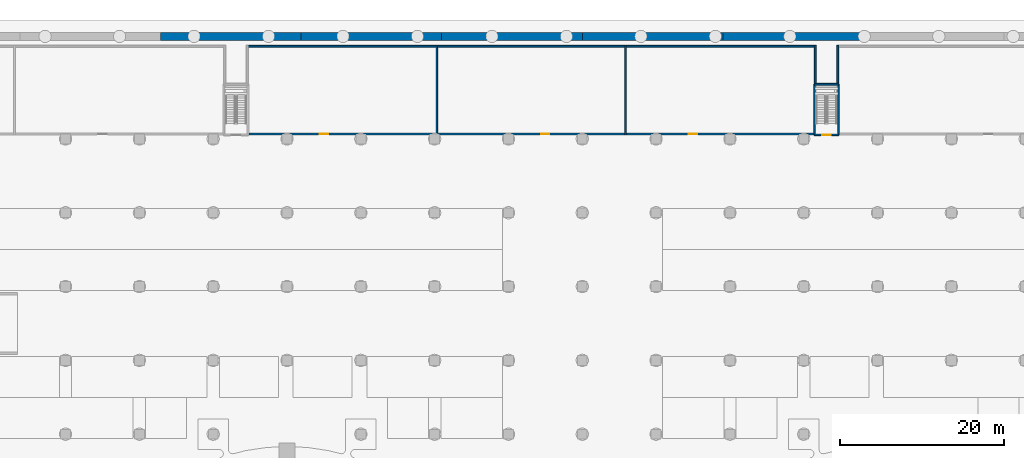
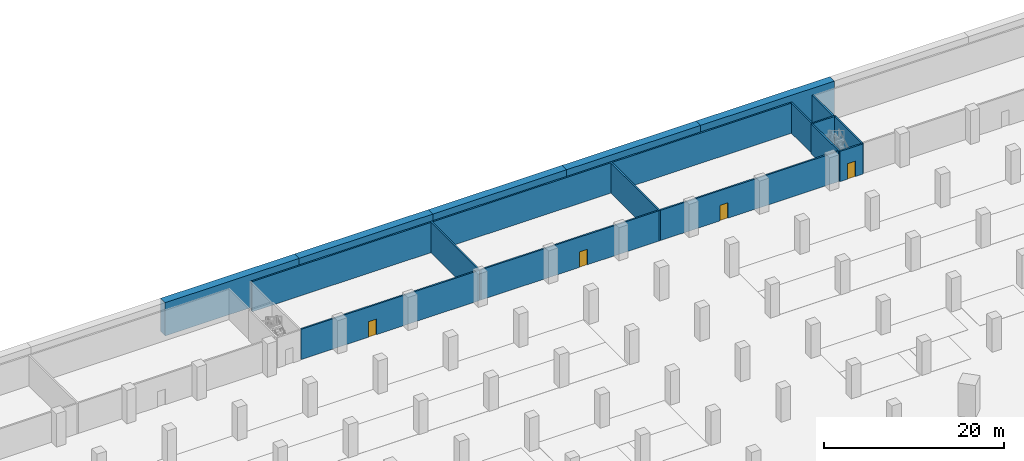
# One storey, part 21 of 39: 19 walls, 4 doors, 4 openings.
"""IFC4 building model written with IfcOpenShell, lengths in metres."""

from ifc_helpers import new_model, si_unit, direction, frame, frame_2d, origin, place, context, subcontext, project, spatial, rectangle, extrude, material, layer, layer_set, type_object, element, fill, save


model = new_model("IFC4")

# Units and contexts
model_context = context("Model", 3, precision=1e-05, world=origin(), true_north=direction((0.0, 1.0)))
body_context = subcontext(model_context, "Body", "Model", "MODEL_VIEW")
ifc_project = project(units=[si_unit("LENGTHUNIT", "METRE"), si_unit("AREAUNIT", "SQUARE_METRE"), si_unit("VOLUMEUNIT", "CUBIC_METRE"), si_unit("PLANEANGLEUNIT", "RADIAN"), si_unit("MASSUNIT", "GRAM", prefix="KILO")], contexts=[model_context])

# Site, building, storey
site_placement = place(None, origin())
site = spatial("IfcSite", under=ifc_project, at=site_placement, CompositionType="ELEMENT")
building_placement = place(site_placement, origin())
building = spatial("IfcBuilding", under=site, at=building_placement, Name="Ogive Gate Towers", CompositionType="ELEMENT")
storey_placement = place(building_placement, frame((0.0, 0.0, -9.0)))
storey = spatial("IfcBuildingStorey", under=building, at=storey_placement, Name="B2", CompositionType="ELEMENT", Elevation=-9.0)

# Wall, opening, door
ifc_material_1 = material(Name="Reinforced concrete C32/40", Category="concrete")
ifc_layer_1 = layer(ifc_material_1, 0.199951171875)
ifc_layer_set_1 = layer_set([ifc_layer_1], Name="Car park stair shaft wall 200")
wall_type_1 = type_object("IfcWallType", Name="Car park stair shaft wall 200", PredefinedType="SOLIDWALL", material=ifc_layer_set_1)
wall_1_placement = place(storey_placement, frame((31.25, 63.5, 0.0), z_axis=(0.0, 0.0, 1.0), x_axis=(-1.0, 0.0, 0.0)))
wall_1 = element("IfcWall", 1, at=wall_1_placement, inside=storey, type_object=wall_type_1, Name="CS3 stair shaft wall B2 1", PredefinedType="SOLIDWALL", context=body_context, shape_type="SweptSolid", body=[
    extrude(rectangle(XDim=2.949951171875, YDim=0.199951171875, at=frame_2d((1.47509765625, 0.0))), origin(), (0.0, 0.0, 1.0), 4.10009765625),
])
opening_1_placement = place(wall_1_placement, frame((0.97509765625, 0.0, 0.0)))
opening_1 = element("IfcOpeningElement", 2, at=opening_1_placement, cuts=wall_1, Name="Opening CPD33-B2", PredefinedType="OPENING", context=body_context, shape_type="SweptSolid", body=[
    extrude(rectangle(XDim=1.0, YDim=2.10009765625, at=frame_2d((0.5, 1.050048828125))), frame((0.0, 0.10986328125, 0.0), z_axis=(0.0, -1.0, 0.0), x_axis=(1.0, 0.0, 0.0)), (0.0, 0.0, 1.0), 0.219970703125),
])
ifc_material_2 = material(Name="Painted steel door", Category="steel")
door_type_1 = type_object("IfcDoorType", Name="Stair house door 1000 x 2100", OperationType="SINGLE_SWING_LEFT", PredefinedType="DOOR", material=ifc_material_2)
door_1_placement = place(opening_1_placement, origin())
door_1 = element("IfcDoor", 3, at=door_1_placement, inside=storey, type_object=door_type_1, Name="Door CS3 stair B2", OperationType="SINGLE_SWING_LEFT", OverallHeight=2.10009765625, OverallWidth=1.0, PredefinedType="DOOR", context=body_context, shape_type="SweptSolid", body=[
    extrude(rectangle(XDim=1.0, YDim=2.10009765625, at=frame_2d((0.5, 1.050048828125))), frame((0.0, 0.02490234375, 0.0), z_axis=(0.0, -1.0, 0.0), x_axis=(1.0, 0.0, 0.0)), (0.0, 0.0, 1.0), 0.050048828125),
])
fill(opening_1, door_1)

# Walls
wall_2_placement = place(storey_placement, frame((28.300048828125, 63.5, 0.0), z_axis=(0.0, 0.0, 1.0), x_axis=(0.0, 1.0, 0.0)))
element("IfcWall", 4, at=wall_2_placement, inside=storey, type_object=wall_type_1, Name="CS3 stair shaft wall B2 2", PredefinedType="SOLIDWALL", context=body_context, shape_type="SweptSolid", body=[
    extrude(rectangle(XDim=6.159912109375, YDim=0.199951171875, at=frame_2d((3.080078125, 0.0))), origin(), (0.0, 0.0, 1.0), 4.10009765625),
])
wall_3_placement = place(storey_placement, frame((28.300048828125, 69.659912109375, 0.0), z_axis=(0.0, 0.0, 1.0), x_axis=(1.0, 0.0, 0.0)))
element("IfcWall", 5, at=wall_3_placement, inside=storey, type_object=wall_type_1, Name="CS3 stair shaft wall B2 3", PredefinedType="SOLIDWALL", context=body_context, shape_type="SweptSolid", body=[
    extrude(rectangle(XDim=2.949951171875, YDim=0.199951171875, at=frame_2d((1.47509765625, 0.0))), origin(), (0.0, 0.0, 1.0), 4.10009765625),
])
wall_4_placement = place(storey_placement, frame((31.25, 69.659912109375, 0.0), z_axis=(0.0, 0.0, 1.0), x_axis=(0.0, -1.0, 0.0)))
element("IfcWall", 6, at=wall_4_placement, inside=storey, type_object=wall_type_1, Name="CS3 stair shaft wall B2 4", PredefinedType="SOLIDWALL", context=body_context, shape_type="SweptSolid", body=[
    extrude(rectangle(XDim=6.159912109375, YDim=0.199951171875, at=frame_2d((3.080078125, 0.0))), origin(), (0.0, 0.0, 1.0), 4.10009765625),
])
ifc_material_3 = material(Name="Blockwork", Category="masonry")
ifc_layer_2 = layer(ifc_material_3, 0.199951171875)
ifc_layer_set_2 = layer_set([ifc_layer_2], Name="Plant room wall 200")
wall_type_2 = type_object("IfcWallType", Name="Plant room wall 200", PredefinedType="PARTITIONING", material=ifc_layer_set_2)
for number, where, z_axis, x_axis, name in (
    (7, (-17.73291015625, 63.5, 0.0), (0.0, 0.0, 1.0), (0.0, 1.0, 0.0), "Plant room wall B2-007"),
    (8, (5.282958984375, 63.5, 0.0), (0.0, 0.0, 1.0), (0.0, 1.0, 0.0), "Plant room wall B2-008"),
):
    element("IfcWall", number, at=place(storey_placement, frame(where, z_axis=z_axis, x_axis=x_axis)), inside=storey, type_object=wall_type_2, Name=name, PredefinedType="PARTITIONING", context=body_context, shape_type="SweptSolid", body=[
        extrude(rectangle(XDim=10.89990234375, YDim=0.199951171875, at=frame_2d((5.449951171875, 0.0))), origin(), (0.0, 0.0, 1.0), 4.10009765625),
    ])
for number, where, z_axis, x_axis, name in (
    (9, (28.39990234375, 69.780029296875, 0.0), (0.0, 0.0, 1.0), (0.0, 1.0, 0.0), "Plant room wall B2-009"),
    (10, (31.14990234375, 69.780029296875, 0.0), (0.0, 0.0, 1.0), (0.0, 1.0, 0.0), "Plant room wall B2-010"),
):
    element("IfcWall", number, at=place(storey_placement, frame(where, z_axis=z_axis, x_axis=x_axis)), inside=storey, type_object=wall_type_2, Name=name, PredefinedType="PARTITIONING", context=body_context, shape_type="SweptSolid", body=[
        extrude(rectangle(XDim=4.619873046875, YDim=0.199951171875, at=frame_2d((2.31005859375, 0.0))), origin(), (0.0, 0.0, 1.0), 4.10009765625),
    ])

# Wall, opening, door
wall_5_placement = place(storey_placement, frame((-40.6298828125, 63.60009765625, 0.0), z_axis=(0.0, 0.0, 1.0), x_axis=(1.0, 0.0, 0.0)))
wall_5 = element("IfcWall", 11, at=wall_5_placement, inside=storey, type_object=wall_type_2, Name="Plant room wall B2-018", PredefinedType="PARTITIONING", context=body_context, shape_type="SweptSolid", body=[
    extrude(rectangle(XDim=22.796875, YDim=0.199951171875, at=frame_2d((11.3984375, 0.0))), origin(), (0.0, 0.0, 1.0), 4.10009765625),
])
opening_2_placement = place(wall_5_placement, frame((8.6298828125, 0.0, 0.0)))
opening_2 = element("IfcOpeningElement", 12, at=opening_2_placement, cuts=wall_5, Name="Opening CPD204", PredefinedType="OPENING", context=body_context, shape_type="SweptSolid", body=[
    extrude(rectangle(XDim=1.0, YDim=2.10009765625, at=frame_2d((0.5, 1.050048828125))), frame((0.0, 0.10986328125, 0.0), z_axis=(0.0, -1.0, 0.0), x_axis=(1.0, 0.0, 0.0)), (0.0, 0.0, 1.0), 0.219970703125),
])
door_type_2 = type_object("IfcDoorType", Name="Fire door 1000 x 2100", OperationType="SINGLE_SWING_LEFT", PredefinedType="DOOR", material=ifc_material_2)
door_2_placement = place(opening_2_placement, origin())
door_2 = element("IfcDoor", 13, at=door_2_placement, inside=storey, type_object=door_type_2, Name="Door CPD204", OperationType="SINGLE_SWING_RIGHT", OverallHeight=2.10009765625, OverallWidth=1.0, PredefinedType="DOOR", context=body_context, shape_type="SweptSolid", body=[
    extrude(rectangle(XDim=1.0, YDim=2.10009765625, at=frame_2d((0.5, 1.050048828125))), frame((0.0, 0.02490234375, 0.0), z_axis=(0.0, -1.0, 0.0), x_axis=(1.0, 0.0, 0.0)), (0.0, 0.0, 1.0), 0.050048828125),
])
fill(opening_2, door_2)

wall_6_placement = place(storey_placement, frame((-17.633056640625, 63.60009765625, 0.0), z_axis=(0.0, 0.0, 1.0), x_axis=(1.0, 0.0, 0.0)))
wall_6 = element("IfcWall", 14, at=wall_6_placement, inside=storey, type_object=wall_type_2, Name="Plant room wall B2-019", PredefinedType="PARTITIONING", context=body_context, shape_type="SweptSolid", body=[
    extrude(rectangle(XDim=22.816162109375, YDim=0.199951171875, at=frame_2d((11.408203125, 0.0))), origin(), (0.0, 0.0, 1.0), 4.10009765625),
])
opening_3_placement = place(wall_6_placement, frame((12.633056640625, 0.0, 0.0)))
opening_3 = element("IfcOpeningElement", 15, at=opening_3_placement, cuts=wall_6, Name="Opening CPD205", PredefinedType="OPENING", context=body_context, shape_type="SweptSolid", body=[
    extrude(rectangle(XDim=1.0, YDim=2.10009765625, at=frame_2d((0.5, 1.050048828125))), frame((0.0, 0.10986328125, 0.0), z_axis=(0.0, -1.0, 0.0), x_axis=(1.0, 0.0, 0.0)), (0.0, 0.0, 1.0), 0.219970703125),
])
door_3_placement = place(opening_3_placement, origin())
door_3 = element("IfcDoor", 16, at=door_3_placement, inside=storey, type_object=door_type_2, Name="Door CPD205", OperationType="SINGLE_SWING_LEFT", OverallHeight=2.10009765625, OverallWidth=1.0, PredefinedType="DOOR", context=body_context, shape_type="SweptSolid", body=[
    extrude(rectangle(XDim=1.0, YDim=2.10009765625, at=frame_2d((0.5, 1.050048828125))), frame((0.0, 0.02490234375, 0.0), z_axis=(0.0, -1.0, 0.0), x_axis=(1.0, 0.0, 0.0)), (0.0, 0.0, 1.0), 0.050048828125),
])
fill(opening_3, door_3)

wall_7_placement = place(storey_placement, frame((5.383056640625, 63.60009765625, 0.0), z_axis=(0.0, 0.0, 1.0), x_axis=(1.0, 0.0, 0.0)))
wall_7 = element("IfcWall", 17, at=wall_7_placement, inside=storey, type_object=wall_type_2, Name="Plant room wall B2-020", PredefinedType="PARTITIONING", context=body_context, shape_type="SweptSolid", body=[
    extrude(rectangle(XDim=22.796875, YDim=0.199951171875, at=frame_2d((11.3984375, 0.0))), origin(), (0.0, 0.0, 1.0), 4.10009765625),
])
opening_4_placement = place(wall_7_placement, frame((7.616943359375, 0.0, 0.0)))
opening_4 = element("IfcOpeningElement", 18, at=opening_4_placement, cuts=wall_7, Name="Opening CPD206", PredefinedType="OPENING", context=body_context, shape_type="SweptSolid", body=[
    extrude(rectangle(XDim=1.0, YDim=2.10009765625, at=frame_2d((0.5, 1.050048828125))), frame((0.0, 0.10986328125, 0.0), z_axis=(0.0, -1.0, 0.0), x_axis=(1.0, 0.0, 0.0)), (0.0, 0.0, 1.0), 0.219970703125),
])
door_4_placement = place(opening_4_placement, origin())
door_4 = element("IfcDoor", 19, at=door_4_placement, inside=storey, type_object=door_type_2, Name="Door CPD206", OperationType="SINGLE_SWING_RIGHT", OverallHeight=2.10009765625, OverallWidth=1.0, PredefinedType="DOOR", context=body_context, shape_type="SweptSolid", body=[
    extrude(rectangle(XDim=1.0, YDim=2.10009765625, at=frame_2d((0.5, 1.050048828125))), frame((0.0, 0.02490234375, 0.0), z_axis=(0.0, -1.0, 0.0), x_axis=(1.0, 0.0, 0.0)), (0.0, 0.0, 1.0), 0.050048828125),
])
fill(opening_4, door_4)

# Walls
wall_8_placement = place(storey_placement, frame((-40.75, 74.300048828125, 0.0), z_axis=(0.0, 0.0, 1.0), x_axis=(1.0, 0.0, 0.0)))
element("IfcWall", 20, at=wall_8_placement, inside=storey, type_object=wall_type_2, Name="Plant room wall B2-027", PredefinedType="PARTITIONING", context=body_context, shape_type="SweptSolid", body=[
    extrude(rectangle(XDim=22.9169921875, YDim=0.199951171875, at=frame_2d((11.45849609375, 0.0))), origin(), (0.0, 0.0, 1.0), 4.10009765625),
])
wall_9_placement = place(storey_placement, frame((-17.633056640625, 74.300048828125, 0.0), z_axis=(0.0, 0.0, 1.0), x_axis=(1.0, 0.0, 0.0)))
element("IfcWall", 21, at=wall_9_placement, inside=storey, type_object=wall_type_2, Name="Plant room wall B2-028", PredefinedType="PARTITIONING", context=body_context, shape_type="SweptSolid", body=[
    extrude(rectangle(XDim=22.816162109375, YDim=0.199951171875, at=frame_2d((11.408203125, 0.0))), origin(), (0.0, 0.0, 1.0), 4.10009765625),
])
wall_10_placement = place(storey_placement, frame((5.383056640625, 74.300048828125, 0.0), z_axis=(0.0, 0.0, 1.0), x_axis=(1.0, 0.0, 0.0)))
element("IfcWall", 22, at=wall_10_placement, inside=storey, type_object=wall_type_2, Name="Plant room wall B2-029", PredefinedType="PARTITIONING", context=body_context, shape_type="SweptSolid", body=[
    extrude(rectangle(XDim=22.9169921875, YDim=0.199951171875, at=frame_2d((11.45849609375, 0.0))), origin(), (0.0, 0.0, 1.0), 4.10009765625),
])
ifc_material_4 = material(Name="Concrete C40/50", Category="concrete")
ifc_layer_3 = layer(ifc_material_4, 1.0)
ifc_layer_set_3 = layer_set([ifc_layer_3], Name="Retaining wall 1000")
wall_type_3 = type_object("IfcWallType", Name="Retaining wall 1000", PredefinedType="SOLIDWALL", material=ifc_layer_set_3)
wall_11_placement = place(storey_placement, frame((-51.41796875, 75.5, 0.0), z_axis=(0.0, 0.0, 1.0), x_axis=(1.0, 0.0, 0.0)))
element("IfcWall", 23, at=wall_11_placement, inside=storey, type_object=wall_type_3, Name="BS/B2/SWL043", PredefinedType="SOLIDWALL", context=body_context, shape_type="SweptSolid", body=[
    extrude(rectangle(XDim=17.13916015625, YDim=1.0, at=frame_2d((8.569580078125, 0.0))), origin(), (0.0, 0.0, 1.0), 4.5),
])
for number, where, z_axis, x_axis, name in (
    (24, (-34.27880859375, 75.5, 0.0), (0.0, 0.0, 1.0), (1.0, 0.0, 0.0), "BS/B2/SWL044"),
    (25, (-17.139404296875, 75.5, 0.0), (0.0, 0.0, 1.0), (1.0, 0.0, 0.0), "BS/B2/SWL045"),
    (26, (0.0, 75.5, 0.0), (0.0, 0.0, 1.0), (1.0, 0.0, 0.0), "BS/B2/SWL046"),
    (27, (17.139404296875, 75.5, 0.0), (0.0, 0.0, 1.0), (1.0, 0.0, 0.0), "BS/B2/SWL047"),
):
    element("IfcWall", number, at=place(storey_placement, frame(where, z_axis=z_axis, x_axis=x_axis)), inside=storey, type_object=wall_type_3, Name=name, PredefinedType="SOLIDWALL", context=body_context, shape_type="SweptSolid", body=[
        extrude(rectangle(XDim=17.139404296875, YDim=1.0, at=frame_2d((8.56982421875, 0.0))), origin(), (0.0, 0.0, 1.0), 4.5),
    ])

save(model, "model.ifc")
